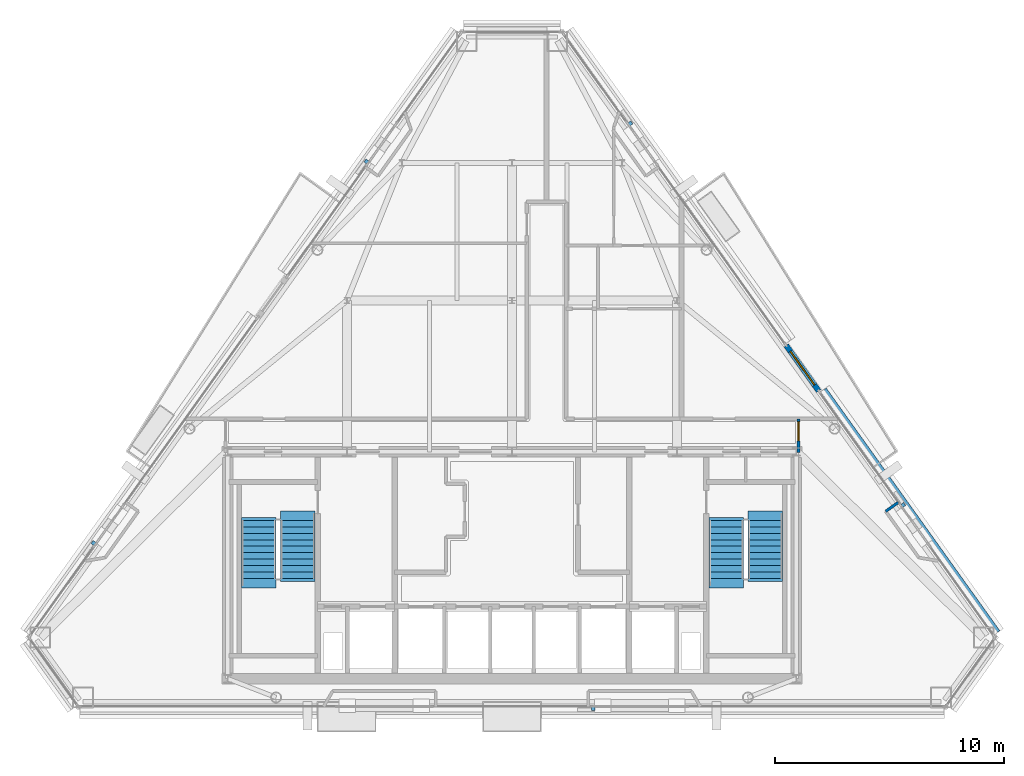
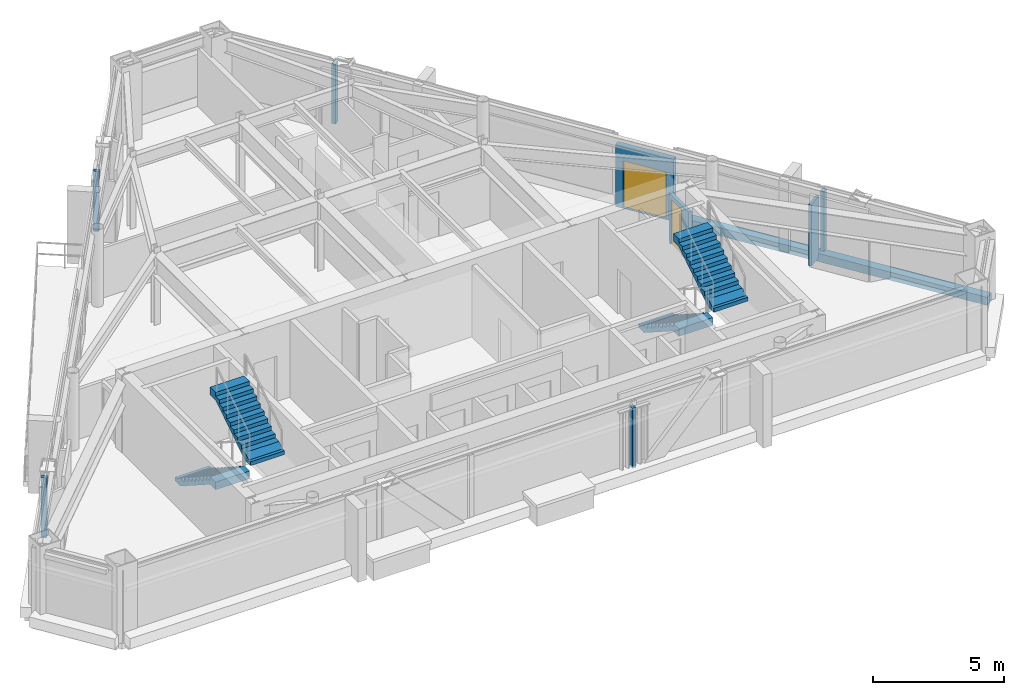
# One storey, part 10 of 12: 5 discrete accessories, 4 stair flights, 4 walls, 2 doors, 2 openings, 2 elements without a shape of their own.
"""IFC4 building model written with IfcOpenShell, lengths in metres."""

import ifcopenshell
import ifcopenshell.guid

model = None  # the IFC model being written
_history = None  # IfcOwnerHistory: only IFC2X3 demands one
_inside = {}  # id of a spatial element -> (the spatial element, [elements in it])
_under = {}  # id of a project, library or spatial element -> (it, [spatial elements below it])
_declared = {}  # id of a project -> (the project, [libraries it declares])
_typed = {}  # id of a type object -> (the type object, [elements of that type])
_made_of = {}  # id of a material, layer set ... -> (it, [elements and type objects made of it])


def new_model(schema):
    """Start an empty IFC model of exactly this schema.

    Asked for "IFC4X3", IfcOpenShell would pick the latest addendum, in which some entities
    have other attributes; the version numbers below select the first issue.
    IFC2X3 requires an IfcOwnerHistory on every rooted entity: one is made here for all.
    """
    global model, _history
    if schema == "IFC4X3":
        model = ifcopenshell.file(schema_version=(4, 3, 0, 0))
    else:
        model = ifcopenshell.file(schema=schema)
    _inside.clear()
    _under.clear()
    _declared.clear()
    _typed.clear()
    _made_of.clear()
    _history = None
    if model.schema == "IFC2X3":
        org = make("IfcOrganization", Name="unknown")
        user = make(
            "IfcPersonAndOrganization",
            ThePerson=make("IfcPerson", FamilyName="unknown"),
            TheOrganization=org,
        )
        app = make(
            "IfcApplication",
            ApplicationDeveloper=org,
            Version="unknown",
            ApplicationFullName="unknown",
            ApplicationIdentifier="unknown",
        )
        _history = make(
            "IfcOwnerHistory",
            OwningUser=user,
            OwningApplication=app,
            ChangeAction="ADDED",
            CreationDate=0,
        )
    return model


def make(cls, **values):
    """One entity of the class cls with the attributes given. An attribute that is None is left unset."""
    return model.create_entity(
        cls, **{name: value for name, value in values.items() if value is not None}
    )


def rooted(cls, **values):
    """An entity with a GlobalId (a new one), such as an element, a storey or a relation."""
    return make(cls, GlobalId=ifcopenshell.guid.new(), OwnerHistory=_history, **values)


def si_unit(unit_type, name, prefix=None):
    """IfcSIUnit, for example si_unit("LENGTHUNIT", "METRE", prefix="MILLI")."""
    return make("IfcSIUnit", UnitType=unit_type, Prefix=prefix, Name=name)


def assignment(units):
    """IfcUnitAssignment: the units of a project."""
    return None if units is None else make("IfcUnitAssignment", Units=units)


def point(xyz):
    """IfcCartesianPoint."""
    return None if xyz is None else make("IfcCartesianPoint", Coordinates=xyz)


def direction(xyz):
    """IfcDirection."""
    return None if xyz is None else make("IfcDirection", DirectionRatios=xyz)


def frame(location, z_axis=None, x_axis=None):
    """IfcAxis2Placement3D, a coordinate frame: its origin and axes. An axis left out is left unset."""
    return make(
        "IfcAxis2Placement3D",
        Location=point(location),
        Axis=direction(z_axis),
        RefDirection=direction(x_axis),
    )


def frame_2d(location, x_axis=None):
    """IfcAxis2Placement2D, a coordinate frame in the plane: its origin and x axis."""
    return make(
        "IfcAxis2Placement2D", Location=point(location), RefDirection=direction(x_axis)
    )


def origin():
    """The frame at (0, 0, 0) with its axes left unset."""
    return frame((0.0, 0.0, 0.0))


def origin_2d():
    """The frame at (0, 0) in the plane with its x axis left unset."""
    return frame_2d((0.0, 0.0))


def place(relative_to, where):
    """IfcLocalPlacement: puts the frame where relative to a parent placement (None: the world)."""
    return make(
        "IfcLocalPlacement", PlacementRelTo=relative_to, RelativePlacement=where
    )


def context(
    kind, dimensions, precision=None, world=None, true_north=None, identifier=None
):
    """IfcGeometricRepresentationContext, for example the 3D "Model" context."""
    return make(
        "IfcGeometricRepresentationContext",
        ContextIdentifier=identifier,
        ContextType=kind,
        CoordinateSpaceDimension=dimensions,
        Precision=precision,
        WorldCoordinateSystem=world,
        TrueNorth=true_north,
    )


def subcontext(parent, identifier, kind, view, scale=None):
    """IfcGeometricRepresentationSubContext, for example "Body" below "Model"."""
    return make(
        "IfcGeometricRepresentationSubContext",
        ContextIdentifier=identifier,
        ContextType=kind,
        ParentContext=parent,
        TargetScale=scale,
        TargetView=view,
    )


def project(units=None, contexts=None):
    """IfcProject with its units and contexts."""
    return rooted(
        "IfcProject",
        Name="project",
        RepresentationContexts=contexts,
        UnitsInContext=assignment(units),
    )


def spatial(cls, under=None, at=None, **own):
    """A site, building, storey or space (cls), placed at a placement, below another one or the project."""
    s = rooted(cls, ObjectPlacement=at, **own)
    if under is not None:
        _under.setdefault(under.id(), (under, []))[1].append(s)
    return s


def polyline(points):
    """IfcPolyline through the points."""
    return make("IfcPolyline", Points=[point(p) for p in points])


def profile(cls, at=None, kind="AREA", **sizes):
    """A parametric profile (cls). Its sizes go by their IFC names, for example OverallWidth=200.0."""
    return make(cls, ProfileType=kind, Position=at, **sizes)


def rectangle(**sizes):
    """IfcRectangleProfileDef."""
    return profile("IfcRectangleProfileDef", **sizes)


def outline(outer, holes=None, kind="AREA"):
    """IfcArbitraryClosedProfileDef: a profile drawn as a closed curve; with holes, ...WithVoids."""
    if holes is None:
        return make("IfcArbitraryClosedProfileDef", ProfileType=kind, OuterCurve=outer)
    return make(
        "IfcArbitraryProfileDefWithVoids",
        ProfileType=kind,
        OuterCurve=outer,
        InnerCurves=holes,
    )


def extrude(swept, where, along, depth):
    """IfcExtrudedAreaSolid: the profile swept, set in the frame where, extruded along a direction by depth."""
    return make(
        "IfcExtrudedAreaSolid",
        SweptArea=swept,
        Position=where,
        ExtrudedDirection=direction(along),
        Depth=depth,
    )


def shape(context_of_items, identifier, shape_type, items):
    """IfcShapeRepresentation: the items that make up one representation, for example the "Body"."""
    return make(
        "IfcShapeRepresentation",
        ContextOfItems=context_of_items,
        RepresentationIdentifier=identifier,
        RepresentationType=shape_type,
        Items=items,
    )


def source(mapping_origin, context_of_items, identifier, shape_type, items):
    """IfcRepresentationMap: a shape defined once, which mapped items show again and again."""
    return make(
        "IfcRepresentationMap",
        MappingOrigin=mapping_origin,
        MappedRepresentation=shape(context_of_items, identifier, shape_type, items),
    )


def transform(
    local_origin,
    x_axis=None,
    y_axis=None,
    z_axis=None,
    scale=None,
    scale2=None,
    scale3=None,
    uniform=True,
):
    """IfcCartesianTransformationOperator3D, or its non-uniform kind. x_axis, y_axis, z_axis: its Axis1, 2, 3."""
    if uniform:
        return make(
            "IfcCartesianTransformationOperator3D",
            Axis1=direction(x_axis),
            Axis2=direction(y_axis),
            LocalOrigin=point(local_origin),
            Scale=scale,
            Axis3=direction(z_axis),
        )
    return make(
        "IfcCartesianTransformationOperator3DnonUniform",
        Axis1=direction(x_axis),
        Axis2=direction(y_axis),
        LocalOrigin=point(local_origin),
        Scale=scale,
        Axis3=direction(z_axis),
        Scale2=scale2,
        Scale3=scale3,
    )


def mapped(mapping_source, mapping_target):
    """IfcMappedItem: shows the shape of a source again, moved by a transform."""
    return make(
        "IfcMappedItem", MappingSource=mapping_source, MappingTarget=mapping_target
    )


def material(Name=None, Category=None):
    """IfcMaterial."""
    return make("IfcMaterial", Name=Name, Category=Category)


def layer(
    of_material, thickness, ventilated=None, Name=None, Category=None, Priority=None
):
    """IfcMaterialLayer: one layer of a wall or slab, of a material (None: an air gap)."""
    return make(
        "IfcMaterialLayer",
        Material=of_material,
        LayerThickness=thickness,
        IsVentilated=ventilated,
        Name=Name,
        Category=Category,
        Priority=Priority,
    )


def layer_set(layers, Name=None):
    """IfcMaterialLayerSet."""
    return make("IfcMaterialLayerSet", MaterialLayers=layers, LayerSetName=Name)


def made_of(thing, what):
    """Note that an element or type object is made of a material, layer set ...; save() writes the relation."""
    if what is not None:
        _made_of.setdefault(what.id(), (what, []))[1].append(thing)
    return thing


def type_object(cls, material=None, **own):
    """A type object (cls), such as IfcWallType, which elements share."""
    return made_of(rooted(cls, **own), material)


def type_shapes(of_type, sources):
    """Give a type object the sources (RepresentationMaps) that its elements show as mapped items."""
    of_type.RepresentationMaps = sources


def element(
    cls,
    number,
    at=None,
    inside=None,
    cuts=None,
    type_object=None,
    material=None,
    context=None,
    identifier="Body",
    shape_type=None,
    held_by="IfcProductDefinitionShape",
    body=None,
    shapes=None,
    **own,
):
    """One element of the class cls, such as IfcWall. Its Tag is "e" and its number.

    at: its placement. inside: the storey or other place that contains it. cuts: it is an
    opening in that element (IfcRelVoidsElement). A single representation is given by context,
    identifier, shape_type and body (its items); several are given by shapes. held_by: the class
    of the entity that holds the representations. save() writes the other relations.
    """
    e = rooted(cls, Tag="e%d" % number, ObjectPlacement=at, **own)
    if body is not None:
        shapes = [shape(context, identifier, shape_type, body)]
    if shapes is not None:
        e.Representation = make(held_by, Representations=shapes)
    if inside is not None:
        _inside.setdefault(inside.id(), (inside, []))[1].append(e)
    if cuts is not None:
        rooted(
            "IfcRelVoidsElement", RelatingBuildingElement=cuts, RelatedOpeningElement=e
        )
    if type_object is not None:
        _typed.setdefault(type_object.id(), (type_object, []))[1].append(e)
    return made_of(e, material)


def fill(opening, filler):
    """IfcRelFillsElement: the door or window that sits in an opening."""
    return rooted(
        "IfcRelFillsElement",
        RelatingOpeningElement=opening,
        RelatedBuildingElement=filler,
    )


def aggregate(whole, parts):
    """IfcRelAggregates: a whole, such as a stair, and the parts it consists of."""
    return rooted("IfcRelAggregates", RelatingObject=whole, RelatedObjects=parts)


def save(model, path):
    """Write the relations noted so far, then the file.

    IfcRelAggregates (storeys below a building ...), IfcRelContainedInSpatialStructure (elements
    in a storey), IfcRelDefinesByType, IfcRelAssociatesMaterial and IfcRelDeclares: one each for
    every whole, place, type object, material and project.
    """
    for whole, parts in _under.values():
        aggregate(whole, parts)
    for where, things in _inside.values():
        rooted(
            "IfcRelContainedInSpatialStructure",
            RelatedElements=things,
            RelatingStructure=where,
        )
    for kind, things in _typed.values():
        rooted("IfcRelDefinesByType", RelatedObjects=things, RelatingType=kind)
    for what, things in _made_of.values():
        rooted("IfcRelAssociatesMaterial", RelatedObjects=things, RelatingMaterial=what)
    for by, libraries in _declared.values():
        rooted("IfcRelDeclares", RelatingContext=by, RelatedDefinitions=libraries)
    model.write(path)


model = new_model("IFC4")

# Units and contexts
model_context = context("Model", 3, precision=1e-05, world=origin(), true_north=direction((0.0, 1.0)))
body_context = subcontext(model_context, "Body", "Model", "MODEL_VIEW")
ifc_project = project(units=[si_unit("LENGTHUNIT", "METRE"), si_unit("AREAUNIT", "SQUARE_METRE"), si_unit("VOLUMEUNIT", "CUBIC_METRE"), si_unit("PLANEANGLEUNIT", "RADIAN"), si_unit("MASSUNIT", "GRAM", prefix="KILO")], contexts=[model_context])

# Site, building, storey
site_placement = place(None, origin())
site = spatial("IfcSite", under=ifc_project, at=site_placement, CompositionType="ELEMENT")
building_placement = place(site_placement, origin())
building = spatial("IfcBuilding", under=site, at=building_placement, Name="Talgorran Terracotta Tower", CompositionType="ELEMENT")
storey_placement = place(building_placement, frame((0.0, 0.0, 267.0)))
storey = spatial("IfcBuildingStorey", under=building, at=storey_placement, Name="L70", CompositionType="ELEMENT", Elevation=267.0)

# Wall, opening, door
ifc_material_1 = material(Name="Concrete C40/50", Category="concrete")
ifc_layer_1 = layer(ifc_material_1, 0.239990234375, Name="WT_BALCONY_SPAND")
ifc_layer_set_1 = layer_set([ifc_layer_1], Name="Concrete C40/50")
wall_type_1 = type_object("IfcWallType", Name="WT_BALCONY_SPAND", PredefinedType="STANDARD", material=ifc_layer_set_1)
wall_1_placement = place(storey_placement, frame((13.38330078125, -1.546630859375, -0.014892578125), z_axis=(0.0, 0.0, 1.0), x_axis=(-0.58167352525, 0.813422344187, 0.0)))
wall_1 = element("IfcWall", 1, at=wall_1_placement, inside=storey, type_object=wall_type_1, Name="WL-L70-BALP-BAL-NE", PredefinedType="STANDARD", context=body_context, shape_type="SweptSolid", body=[
    extrude(rectangle(XDim=2.43994140625, YDim=0.239990234375, at=frame_2d((1.219970703125, 0.0))), origin(), (0.0, 0.0, 1.0), 2.8779296875),
])
opening_1_placement = place(wall_1_placement, frame((0.320068359375, 0.0, 0.014892578125)))
opening_1 = element("IfcOpeningElement", 2, at=opening_1_placement, cuts=wall_1, Name="Opening D-BAL-L70-1", PredefinedType="OPENING", context=body_context, shape_type="SweptSolid", body=[
    extrude(rectangle(XDim=1.806048828125, YDim=2.203951171875, at=frame_2d((0.89990234375, 1.10205078125))), frame((0.0, 0.1298828125, 0.0), z_axis=(0.0, -1.0, 0.0), x_axis=(1.0, 0.0, 0.0)), (0.0, 0.0, 1.0), 0.260009765625),
])
ifc_material_2 = material(Name="Thermally Broken Aluminium", Category="aluminium")
door_type_1 = type_object("IfcDoorType", Name="DT_BALC_1800", OperationType="SLIDING_TO_LEFT", PredefinedType="DOOR", material=ifc_material_2)
door_1_placement = place(opening_1_placement, origin())
door_1 = element("IfcDoor", 3, at=door_1_placement, inside=storey, type_object=door_type_1, Name="DR-L70-BAL-BAL-NE", OperationType="SLIDING_TO_LEFT", OverallHeight=2.199951171875, OverallWidth=1.800048828125, PredefinedType="DOOR", context=body_context, shape_type="SweptSolid", body=[
    extrude(rectangle(XDim=1.800048828125, YDim=2.199951171875, at=frame_2d((0.89990234375, 1.10009765625))), frame((0.0, 0.02490234375, 0.0), z_axis=(0.0, -1.0, 0.0), x_axis=(1.0, 0.0, 0.0)), (0.0, 0.0, 1.0), 0.050048828125),
])
fill(opening_1, door_1)

ifc_material_3 = material(Name="Fire-Rated Steel Stud Plasterboard", Category="steel")
ifc_layer_2 = layer(ifc_material_3, 0.14990234375, Name="WT_FIRE_150")
ifc_layer_set_2 = layer_set([ifc_layer_2], Name="Fire-Rated Steel Stud Plasterboard")
wall_type_2 = type_object("IfcWallType", Name="WT_FIRE_150", PredefinedType="PARTITIONING", material=ifc_layer_set_2)
wall_2_placement = place(storey_placement, frame((12.5, -4.239990234375, 0.0), z_axis=(0.0, 0.0, 1.0), x_axis=(0.0, 1.0, 0.0)))
wall_2 = element("IfcWall", 4, at=wall_2_placement, inside=storey, type_object=wall_type_2, Name="WL-L70-W-L70-R02", PredefinedType="PARTITIONING", context=body_context, shape_type="SweptSolid", body=[
    extrude(rectangle(XDim=1.47998046875, YDim=0.14990234375, at=frame_2d((0.739990234375, 0.0))), origin(), (0.0, 0.0, 1.0), 2.320068359375),
])
opening_2_placement = place(wall_2_placement, frame((0.521728515625, 0.0, 0.0)))
opening_2 = element("IfcOpeningElement", 5, at=opening_2_placement, cuts=wall_2, Name="Opening DR-L70-R02", PredefinedType="OPENING", context=body_context, shape_type="SweptSolid", body=[
    extrude(rectangle(XDim=0.826068359375, YDim=2.10409765625, at=frame_2d((0.41015625, 1.052001953125))), frame((0.0, 0.0849609375, 0.0), z_axis=(0.0, -1.0, 0.0), x_axis=(1.0, 0.0, 0.0)), (0.0, 0.0, 1.0), 0.169921875),
])
ifc_material_4 = material(Name="Moisture-Resistant Solid Timber", Category="wood")
door_type_2 = type_object("IfcDoorType", Name="DT_INT_820", OperationType="NOTDEFINED", PredefinedType="DOOR", material=ifc_material_4)
door_2_placement = place(opening_2_placement, origin())
door_2 = element("IfcDoor", 6, at=door_2_placement, inside=storey, type_object=door_type_2, Name="DR-L70-R02", OperationType="SINGLE_SWING_RIGHT", OverallHeight=2.10009765625, OverallWidth=0.820068359375, PredefinedType="DOOR", context=body_context, shape_type="SweptSolid", body=[
    extrude(rectangle(XDim=0.820068359375, YDim=2.10009765625, at=frame_2d((0.41015625, 1.050048828125))), frame((0.0, 0.02490234375, 0.0), z_axis=(0.0, -1.0, 0.0), x_axis=(1.0, 0.0, 0.0)), (0.0, 0.0, 1.0), 0.050048828125),
])
fill(opening_2, door_2)

# Walls
ifc_layer_3 = layer(ifc_material_1, 0.219970703125, Name="WT_PARAPET_RC")
ifc_layer_set_3 = layer_set([ifc_layer_3], Name="Concrete C40/50")
wall_type_3 = type_object("IfcWallType", Name="WT_PARAPET_RC", PredefinedType="PARAPET", material=ifc_layer_set_3)
wall_3_placement = place(storey_placement, frame((21.136962890625, -12.11279296875, -0.199951171875), z_axis=(0.0, 0.0, 1.0), x_axis=(-0.58172961934, 0.813382228711, 0.0)))
element("IfcWall", 7, at=wall_3_placement, inside=storey, type_object=wall_type_3, Name="L70 Striped Portal Precast Cornice F40", PredefinedType="PARAPET", context=body_context, shape_type="SweptSolid", body=[
    extrude(rectangle(XDim=13.0146484375, YDim=0.360107421875, at=frame_2d((6.50732421875, 0.0))), origin(), (0.0, 0.0, 1.0), 0.3798828125),
])
ifc_material_5 = material(Name="Insulated Steel Stud Plasterboard", Category="steel")
ifc_layer_4 = layer(ifc_material_5, 0.1201171875, Name="WT_PART_120")
ifc_layer_set_4 = layer_set([ifc_layer_4], Name="Insulated Steel Stud Plasterboard")
wall_type_4 = type_object("IfcWallType", Name="WT_PART_120", PredefinedType="PARTITIONING", material=ifc_layer_set_4)
wall_4_placement = place(storey_placement, frame((16.304443359375, -6.800048828125, 0.0), z_axis=(0.0, 0.0, 1.0), x_axis=(0.813561114612, 0.581479417341, 0.0)))
element("IfcWall", 8, at=wall_4_placement, inside=storey, type_object=wall_type_4, Name="WL-L70-BW-L70-10", PredefinedType="PARTITIONING", context=body_context, shape_type="SweptSolid", body=[
    extrude(rectangle(XDim=0.670166015625, YDim=0.1201171875, at=frame_2d((0.3349609375, 0.0))), origin(), (0.0, 0.0, 1.0), 2.863037109375),
])

# Stair, stair flights
stair_type = type_object("IfcStairType", Name="ST_FIRE_SCISSOR", PredefinedType="HALF_TURN_STAIR", material=ifc_material_1)
stair_1_placement = place(storey_placement, origin())
stair_1 = element("IfcStair", 9, at=stair_1_placement, inside=storey, type_object=stair_type, Name="L70 West Protected Fire Stair ST-01", PredefinedType="HALF_TURN_STAIR")
ifc_layer_5 = layer(ifc_material_1, 0.179931640625, Name="STF_RC_1500")
ifc_layer_set_5 = layer_set([ifc_layer_5], Name="Concrete C40/50")
stair_flight_type = type_object("IfcStairFlightType", Name="STF_RC_1500", PredefinedType="STRAIGHT", material=ifc_layer_set_5)
stair_flight_1_placement = place(storey_placement, frame((-11.050048828125, -7.199951171875, 0.0), z_axis=(0.0, 0.0, 1.0), x_axis=(0.0, -1.0, 0.0)))
stair_flight_1 = element("IfcStairFlight", 10, at=stair_flight_1_placement, type_object=stair_flight_type, Name="ST-01 flight 1", NumberOfRisers=10, NumberOfTreads=9, PredefinedType="STRAIGHT", RiserHeight=0.18, TreadLength=0.28, context=body_context, shape_type="SweptSolid", body=[
    extrude(outline(polyline([(-0.139892578125, 0.0), (-0.139892578125, 0.179931640625), (0.0, 0.179931640625), (0.280029296875, 0.360107421875), (0.56005859375, 0.360107421875), (0.56005859375, 0.5400390625), (0.840087890625, 0.5400390625), (0.840087890625, 0.719970703125), (1.1201171875, 0.719970703125), (1.1201171875, 0.89990234375), (1.39990234375, 0.89990234375), (1.39990234375, 1.080078125), (1.679931640625, 1.080078125), (1.679931640625, 1.260009765625), (1.9599609375, 1.260009765625), (1.9599609375, 1.43994140625), (2.239990234375, 1.43994140625), (2.239990234375, 1.6201171875), (2.52001953125, 1.6201171875), (2.52001953125, 1.800048828125), (2.93994140625, 1.800048828125), (2.93994140625, 1.44189453125), (2.52001953125, 1.44189453125), (0.277099609375, 0.0), (-0.139892578125, 0.0)])), frame((0.0, 0.75, 0.0), z_axis=(0.0, -1.0, 0.0), x_axis=(1.0, 0.0, 0.0)), (0.0, 0.0, 1.0), 1.5),
])
stair_flight_2_placement = place(storey_placement, frame((-9.35009765625, -9.719970703125, 1.800048828125), z_axis=(0.0, 0.0, 1.0), x_axis=(0.0, 1.0, 0.0)))
stair_flight_2 = element("IfcStairFlight", 11, at=stair_flight_2_placement, type_object=stair_flight_type, Name="ST-01 flight 2", NumberOfRisers=10, NumberOfTreads=9, PredefinedType="STRAIGHT", RiserHeight=0.18, TreadLength=0.28, context=body_context, shape_type="SweptSolid", body=[
    extrude(outline(polyline([(-0.139892578125, 0.0), (-0.139892578125, 0.179931640625), (0.0, 0.179931640625), (0.280029296875, 0.360107421875), (0.56005859375, 0.360107421875), (0.56005859375, 0.5400390625), (0.840087890625, 0.5400390625), (0.840087890625, 0.719970703125), (1.1201171875, 0.719970703125), (1.1201171875, 0.89990234375), (1.39990234375, 0.89990234375), (1.39990234375, 1.080078125), (1.679931640625, 1.080078125), (1.679931640625, 1.260009765625), (1.9599609375, 1.260009765625), (1.9599609375, 1.43994140625), (2.239990234375, 1.43994140625), (2.239990234375, 1.6201171875), (2.52001953125, 1.6201171875), (2.52001953125, 1.800048828125), (2.93994140625, 1.800048828125), (2.93994140625, 1.44189453125), (2.52001953125, 1.44189453125), (0.277099609375, 0.0), (-0.139892578125, 0.0)])), frame((0.0, 0.75, 0.0), z_axis=(0.0, -1.0, 0.0), x_axis=(1.0, 0.0, 0.0)), (0.0, 0.0, 1.0), 1.5),
])
aggregate(stair_1, [stair_flight_1, stair_flight_2])

stair_2_placement = place(storey_placement, origin())
stair_2 = element("IfcStair", 12, at=stair_2_placement, inside=storey, type_object=stair_type, Name="L70 East Protected Fire Stair ST-02", PredefinedType="HALF_TURN_STAIR")
stair_flight_3_placement = place(storey_placement, frame((9.35009765625, -7.199951171875, 0.0), z_axis=(0.0, 0.0, 1.0), x_axis=(0.0, -1.0, 0.0)))
stair_flight_3 = element("IfcStairFlight", 13, at=stair_flight_3_placement, type_object=stair_flight_type, Name="ST-02 flight 1", NumberOfRisers=10, NumberOfTreads=9, PredefinedType="STRAIGHT", RiserHeight=0.18, TreadLength=0.28, context=body_context, shape_type="SweptSolid", body=[
    extrude(outline(polyline([(-0.139892578125, 0.0), (-0.139892578125, 0.179931640625), (0.0, 0.179931640625), (0.280029296875, 0.360107421875), (0.56005859375, 0.360107421875), (0.56005859375, 0.5400390625), (0.840087890625, 0.5400390625), (0.840087890625, 0.719970703125), (1.1201171875, 0.719970703125), (1.1201171875, 0.89990234375), (1.39990234375, 0.89990234375), (1.39990234375, 1.080078125), (1.679931640625, 1.080078125), (1.679931640625, 1.260009765625), (1.9599609375, 1.260009765625), (1.9599609375, 1.43994140625), (2.239990234375, 1.43994140625), (2.239990234375, 1.6201171875), (2.52001953125, 1.6201171875), (2.52001953125, 1.800048828125), (2.93994140625, 1.800048828125), (2.93994140625, 1.44189453125), (2.52001953125, 1.44189453125), (0.277099609375, 0.0), (-0.139892578125, 0.0)])), frame((0.0, 0.75, 0.0), z_axis=(0.0, -1.0, 0.0), x_axis=(1.0, 0.0, 0.0)), (0.0, 0.0, 1.0), 1.5),
])
stair_flight_4_placement = place(storey_placement, frame((11.050048828125, -9.719970703125, 1.800048828125), z_axis=(0.0, 0.0, 1.0), x_axis=(0.0, 1.0, 0.0)))
stair_flight_4 = element("IfcStairFlight", 14, at=stair_flight_4_placement, type_object=stair_flight_type, Name="ST-02 flight 2", NumberOfRisers=10, NumberOfTreads=9, PredefinedType="STRAIGHT", RiserHeight=0.18, TreadLength=0.28, context=body_context, shape_type="SweptSolid", body=[
    extrude(outline(polyline([(-0.139892578125, 0.0), (-0.139892578125, 0.179931640625), (0.0, 0.179931640625), (0.280029296875, 0.360107421875), (0.56005859375, 0.360107421875), (0.56005859375, 0.5400390625), (0.840087890625, 0.5400390625), (0.840087890625, 0.719970703125), (1.1201171875, 0.719970703125), (1.1201171875, 0.89990234375), (1.39990234375, 0.89990234375), (1.39990234375, 1.080078125), (1.679931640625, 1.080078125), (1.679931640625, 1.260009765625), (1.9599609375, 1.260009765625), (1.9599609375, 1.43994140625), (2.239990234375, 1.43994140625), (2.239990234375, 1.6201171875), (2.52001953125, 1.6201171875), (2.52001953125, 1.800048828125), (2.93994140625, 1.800048828125), (2.93994140625, 1.44189453125), (2.52001953125, 1.44189453125), (0.277099609375, 0.0), (-0.139892578125, 0.0)])), frame((0.0, 0.75, 0.0), z_axis=(0.0, -1.0, 0.0), x_axis=(1.0, 0.0, 0.0)), (0.0, 0.0, 1.0), 1.5),
])
aggregate(stair_2, [stair_flight_3, stair_flight_4])

# Discrete accessories
ifc_material_6 = material(Name="Stainless Steel Grade 316", Category="steel")
ifc_layer_6 = layer(ifc_material_6, 0.080078125, Name="ACC_BAGUETTE_BRKT")
ifc_layer_set_6 = layer_set([ifc_layer_6], Name="Stainless Steel Grade 316")
discrete_accessory_type = type_object("IfcDiscreteAccessoryType", Name="ACC_BAGUETTE_BRKT", PredefinedType="BRACKET", material=ifc_layer_set_6)
shared_shape = source(origin(), body_context, "Body", "SweptSolid", [
    extrude(rectangle(XDim=0.159912109375, YDim=0.219970703125, at=origin_2d()), origin(), (0.0, 0.0, 1.0), 2.794921875),
])
type_shapes(discrete_accessory_type, [shared_shape])
for number, where, z_axis, x_axis, name in (
    (15, (3.539306640625, -15.388916015625, 0.35009765625), (0.0, 0.0, 1.0), (1.0, 0.0, 0.0), "BRK-L70-F1"),
    (16, (17.0419921875, -6.541748046875, 0.35009765625), (0.0, 0.0, 1.0), (-0.58172554467, 0.813385142893, 0.0), "BRK-L70-F40"),
    (17, (5.13671875, 10.104248046875, 0.35009765625), (0.0, 0.0, 1.0), (-0.58173974083, 0.813374989743, 0.0), "BRK-L70-F41"),
    (18, (-6.32470703125, 8.443115234375, 0.35009765625), (0.0, 0.0, 1.0), (-0.58172554467, -0.813385142893, 0.0), "BRK-L70-F60"),
    (19, (-18.22998046875, -8.202880859375, 0.35009765625), (0.0, 0.0, 1.0), (-0.58172554467, -0.813385142893, 0.0), "BRK-L70-F61"),
):
    element("IfcDiscreteAccessory", number, at=place(storey_placement, frame(where, z_axis=z_axis, x_axis=x_axis)), inside=storey, type_object=discrete_accessory_type, Name=name, PredefinedType="BRACKET", context=body_context, shape_type="MappedRepresentation", body=[
        mapped(shared_shape, transform((0.0, 0.0, 0.0), scale=1.0)),
    ])

save(model, "model.ifc")
